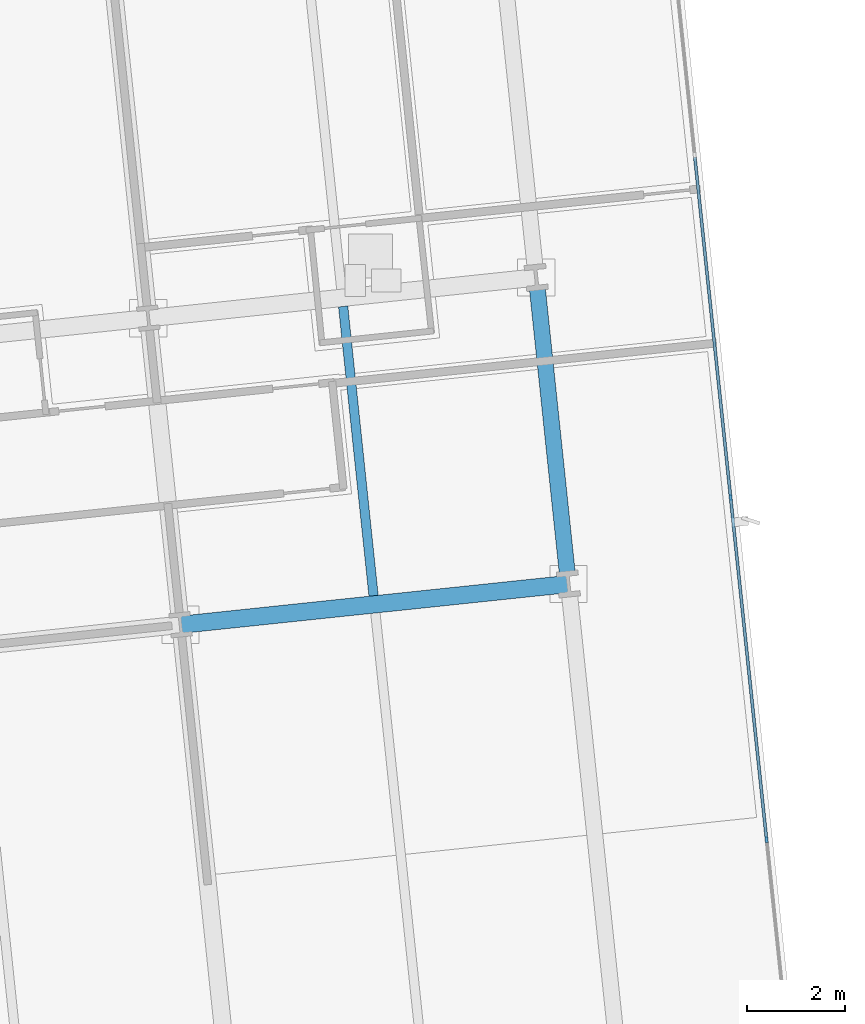
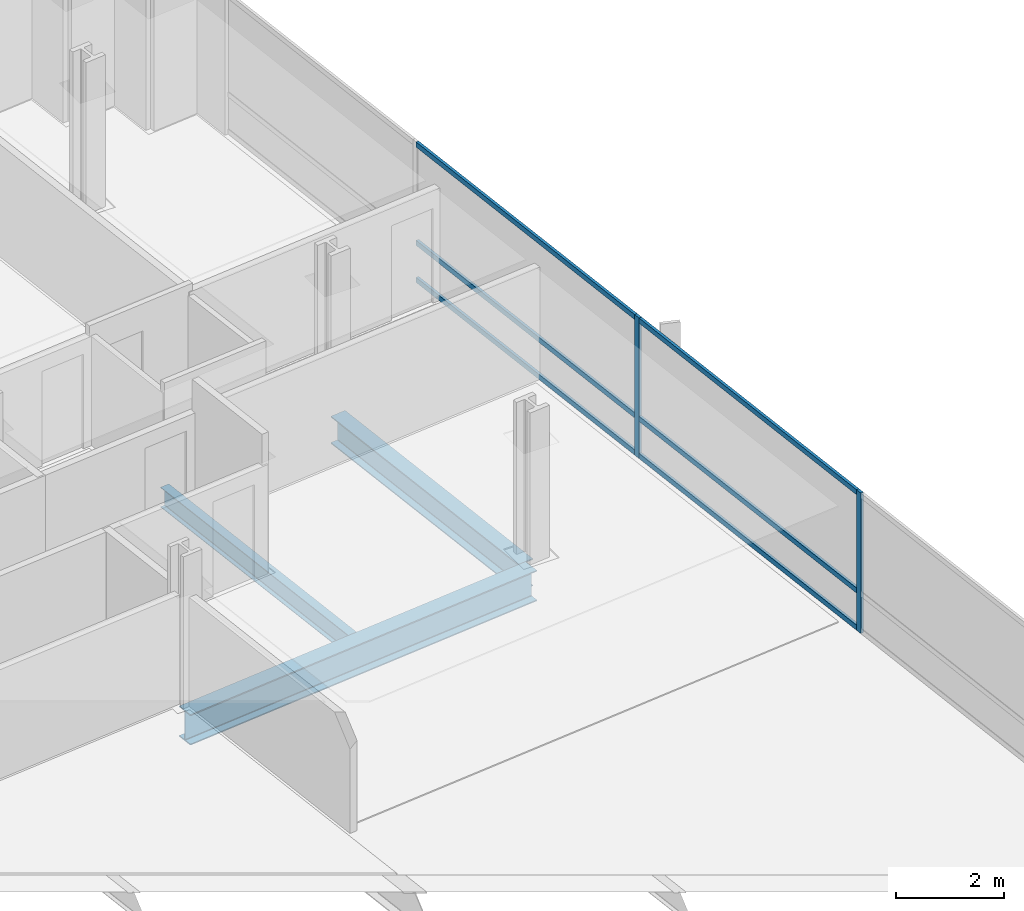
# One storey, part 8 of 21: 8 members, 3 beams, 1 element without a shape of its own.
"""IFC4 building model written with IfcOpenShell, lengths in metres."""

from ifc_helpers import new_model, si_unit, direction, frame, origin, origin_2d, place, context, subcontext, project, spatial, rectangle, i_section, extrude, material, material_profile, profile_set, type_object, element, aggregate, save


model = new_model("IFC4")

# Units and contexts
model_context = context("Model", 3, precision=1e-05, world=origin(), true_north=direction((0.0, 1.0)))
body_context = subcontext(model_context, "Body", "Model", "MODEL_VIEW")
ifc_project = project(units=[si_unit("LENGTHUNIT", "METRE"), si_unit("AREAUNIT", "SQUARE_METRE"), si_unit("VOLUMEUNIT", "CUBIC_METRE"), si_unit("PLANEANGLEUNIT", "RADIAN"), si_unit("MASSUNIT", "GRAM", prefix="KILO")], contexts=[model_context])

# Site, building, storey
site_placement = place(None, origin())
site = spatial("IfcSite", under=ifc_project, at=site_placement, CompositionType="ELEMENT")
building_placement = place(site_placement, origin())
building = spatial("IfcBuilding", under=site, at=building_placement, Name="Solmavex Isthmus Hotel", CompositionType="ELEMENT")
storey_placement = place(building_placement, frame((0.0, 0.0, 113.25)))
storey = spatial("IfcBuildingStorey", under=building, at=storey_placement, Name="L30", CompositionType="ELEMENT", Elevation=113.25)

# Beams
ifc_material_1 = material(Name="Steel ASTM A992 Grade 50", Category="steel")
ifc_material_profile_1 = material_profile(ifc_material_1, i_section(OverallWidth=0.354736328125, OverallDepth=0.695556640625, WebThickness=0.015380859375, FlangeThickness=0.02490234375, FilletRadius=0.017822265625, at=origin_2d()), Name="W27X146")
ifc_profile_set_1 = profile_set([ifc_material_profile_1], Name="Steel ASTM A992 Grade 50")
beam_type_1 = type_object("IfcBeamType", Name="BM-BG-W27X146", PredefinedType="BEAM", material=ifc_profile_set_1)
beam_1_placement = place(storey_placement, frame((21.2197265625, 5.658447265625, -0.607666015625), z_axis=(0.994523402738, 0.104514120609, 0.0), x_axis=(-0.104514120609, 0.994523402738, 0.0)))
element("IfcBeam", 1, at=beam_1_placement, inside=storey, type_object=beam_type_1, Name="Floor Girder L30-UG12", PredefinedType="BEAM", context=body_context, shape_type="SweptSolid", body=[
    extrude(i_section(OverallWidth=0.354736328125, OverallDepth=0.695556640625, WebThickness=0.015380859375, FlangeThickness=0.02490234375, FilletRadius=0.017822265625, at=origin_2d()), origin(), (0.0, 0.0, 1.0), 7.968017578125),
])
ifc_material_profile_2 = material_profile(ifc_material_1, i_section(OverallWidth=0.1904296875, OverallDepth=0.456787109375, WebThickness=0.009033203125, FlangeThickness=0.014404296875, FilletRadius=0.0126953125, at=origin_2d()), Name="W18X50")
ifc_profile_set_2 = profile_set([ifc_material_profile_2], Name="Steel ASTM A992 Grade 50")
beam_type_2 = type_object("IfcBeamType", Name="BM-BJ-W18X50", PredefinedType="JOIST", material=ifc_profile_set_2)
beam_2_placement = place(storey_placement, frame((25.163330078125, 6.251220703125, -0.488525390625), z_axis=(-0.104505160346, 0.994524344328, 0.0), x_axis=(-0.994524344328, -0.104505160346, 0.0)))
element("IfcBeam", 2, at=beam_2_placement, inside=storey, type_object=beam_type_2, Name="Secondary Floor Joist L30-J20", PredefinedType="JOIST", context=body_context, shape_type="SweptSolid", body=[
    extrude(i_section(OverallWidth=0.1904296875, OverallDepth=0.456787109375, WebThickness=0.009033203125, FlangeThickness=0.014404296875, FilletRadius=0.0126953125, at=origin_2d()), origin(), (0.0, 0.0, 1.0), 5.943115234375),
])
ifc_material_profile_3 = material_profile(ifc_material_1, i_section(OverallWidth=0.326416015625, OverallDepth=0.621826171875, WebThickness=0.015380859375, FlangeThickness=0.0244140625, FilletRadius=0.01513671875, at=origin_2d()), Name="W24X131")
ifc_profile_set_3 = profile_set([ifc_material_profile_3], Name="Steel ASTM A992 Grade 50")
beam_type_3 = type_object("IfcBeamType", Name="BM-SP-W24X131", PredefinedType="SPANDREL", material=ifc_profile_set_3)
beam_3_placement = place(storey_placement, frame((29.12548828125, 6.667724609375, -0.57080078125), z_axis=(-0.104505160346, 0.994524344328, 0.0), x_axis=(-0.994524344328, -0.104505160346, 0.0)))
element("IfcBeam", 3, at=beam_3_placement, inside=storey, type_object=beam_type_3, Name="Floor Beam L30-VG47", PredefinedType="SPANDREL", context=body_context, shape_type="SweptSolid", body=[
    extrude(i_section(OverallWidth=0.326416015625, OverallDepth=0.621826171875, WebThickness=0.015380859375, FlangeThickness=0.0244140625, FilletRadius=0.01513671875, at=origin_2d()), origin(), (0.0, 0.0, 1.0), 5.943115234375),
])

# Curtain wall, members
ifc_material_2 = material(Name="Aluminium alloy 6063-T6", Category="aluminium")
curtain_wall_type = type_object("IfcCurtainWallType", Name="CW-SYS-06", PredefinedType="NOTDEFINED", material=ifc_material_2)
curtain_wall_placement = place(storey_placement, origin())
curtain_wall = element("IfcCurtainWall", 4, at=curtain_wall_placement, inside=storey, type_object=curtain_wall_type, Name="Stick Curtain Wall CWL-L30-E1", PredefinedType="NOTDEFINED")
ifc_material_profile_4 = material_profile(ifc_material_2, rectangle(XDim=0.06005859375, YDim=0.139892578125, at=origin_2d()), Name="CWM-60X140")
ifc_profile_set_4 = profile_set([ifc_material_profile_4], Name="Aluminium alloy 6063-T6")
member_type_1 = type_object("IfcMemberType", Name="CW-SYS-06-MUL", PredefinedType="MULLION", material=ifc_profile_set_4)
member_1_placement = place(storey_placement, frame((33.19140625, 1.275634765625, 0.0), z_axis=(0.0, 0.0, 1.0), x_axis=(-0.994521893044, -0.104528485381, 0.0)))
member_1 = element("IfcMember", 5, at=member_1_placement, type_object=member_type_1, Name="CW-06 mullion 3", PredefinedType="MULLION", context=body_context, shape_type="SweptSolid", body=[
    extrude(rectangle(XDim=0.06005859375, YDim=0.139892578125, at=origin_2d()), origin(), (0.0, 0.0, 1.0), 3.18994140625),
])
member_2_placement = place(storey_placement, frame((32.45751953125, 8.25732421875, 0.0), z_axis=(0.0, 0.0, 1.0), x_axis=(-0.994521893044, -0.104528485381, 0.0)))
member_2 = element("IfcMember", 6, at=member_2_placement, type_object=member_type_1, Name="CW-06 mullion 4", PredefinedType="MULLION", context=body_context, shape_type="SweptSolid", body=[
    extrude(rectangle(XDim=0.06005859375, YDim=0.139892578125, at=origin_2d()), origin(), (0.0, 0.0, 1.0), 3.18994140625),
])
ifc_material_profile_5 = material_profile(ifc_material_2, rectangle(XDim=0.06005859375, YDim=0.114990234375, at=origin_2d()), Name="CWT-60X115")
ifc_profile_set_5 = profile_set([ifc_material_profile_5], Name="Aluminium alloy 6063-T6")
member_type_2 = type_object("IfcMemberType", Name="CW-SYS-06-TRN", PredefinedType="USERDEFINED", material=ifc_profile_set_5)
member_3_placement = place(storey_placement, frame((33.188232421875, 1.3056640625, 0.0576171875), z_axis=(-0.104531402636, 0.994521586424, 0.0), x_axis=(-0.994521586424, -0.104531402636, 0.0)))
member_3 = element("IfcMember", 7, at=member_3_placement, type_object=member_type_2, Name="CW-06 transom 3.1", ObjectType="TRANSOM", PredefinedType="USERDEFINED", context=body_context, shape_type="SweptSolid", body=[
    extrude(rectangle(XDim=0.06005859375, YDim=0.114990234375, at=origin_2d()), origin(), (0.0, 0.0, 1.0), 6.9599609375),
])
member_4_placement = place(storey_placement, frame((33.188232421875, 1.3056640625, 0.89990234375), z_axis=(-0.104531402636, 0.994521586424, 0.0), x_axis=(-0.994521586424, -0.104531402636, 0.0)))
member_4 = element("IfcMember", 8, at=member_4_placement, type_object=member_type_2, Name="CW-06 transom 3.2", ObjectType="TRANSOM", PredefinedType="USERDEFINED", context=body_context, shape_type="SweptSolid", body=[
    extrude(rectangle(XDim=0.06005859375, YDim=0.114990234375, at=origin_2d()), origin(), (0.0, 0.0, 1.0), 6.9599609375),
])
member_5_placement = place(storey_placement, frame((33.188232421875, 1.3056640625, 3.132568359375), z_axis=(-0.104531402636, 0.994521586424, 0.0), x_axis=(-0.994521586424, -0.104531402636, 0.0)))
member_5 = element("IfcMember", 9, at=member_5_placement, type_object=member_type_2, Name="CW-06 transom 3.3", ObjectType="TRANSOM", PredefinedType="USERDEFINED", context=body_context, shape_type="SweptSolid", body=[
    extrude(rectangle(XDim=0.06005859375, YDim=0.114990234375, at=origin_2d()), origin(), (0.0, 0.0, 1.0), 6.9599609375),
])
member_6_placement = place(storey_placement, frame((32.45458984375, 8.287109375, 0.0576171875), z_axis=(-0.104531402636, 0.994521586424, 0.0), x_axis=(-0.994521586424, -0.104531402636, 0.0)))
member_6 = element("IfcMember", 10, at=member_6_placement, type_object=member_type_2, Name="CW-06 transom 4.1", ObjectType="TRANSOM", PredefinedType="USERDEFINED", context=body_context, shape_type="SweptSolid", body=[
    extrude(rectangle(XDim=0.06005859375, YDim=0.114990234375, at=origin_2d()), origin(), (0.0, 0.0, 1.0), 6.9599609375),
])
member_7_placement = place(storey_placement, frame((32.45458984375, 8.287109375, 0.89990234375), z_axis=(-0.104531402636, 0.994521586424, 0.0), x_axis=(-0.994521586424, -0.104531402636, 0.0)))
member_7 = element("IfcMember", 11, at=member_7_placement, type_object=member_type_2, Name="CW-06 transom 4.2", ObjectType="TRANSOM", PredefinedType="USERDEFINED", context=body_context, shape_type="SweptSolid", body=[
    extrude(rectangle(XDim=0.06005859375, YDim=0.114990234375, at=origin_2d()), origin(), (0.0, 0.0, 1.0), 6.9599609375),
])
member_8_placement = place(storey_placement, frame((32.45458984375, 8.287109375, 3.132568359375), z_axis=(-0.104531402636, 0.994521586424, 0.0), x_axis=(-0.994521586424, -0.104531402636, 0.0)))
member_8 = element("IfcMember", 12, at=member_8_placement, type_object=member_type_2, Name="CW-06 transom 4.3", ObjectType="TRANSOM", PredefinedType="USERDEFINED", context=body_context, shape_type="SweptSolid", body=[
    extrude(rectangle(XDim=0.06005859375, YDim=0.114990234375, at=origin_2d()), origin(), (0.0, 0.0, 1.0), 6.9599609375),
])
aggregate(curtain_wall, [member_1, member_2, member_3, member_4, member_5, member_6, member_7, member_8])

save(model, "model.ifc")
